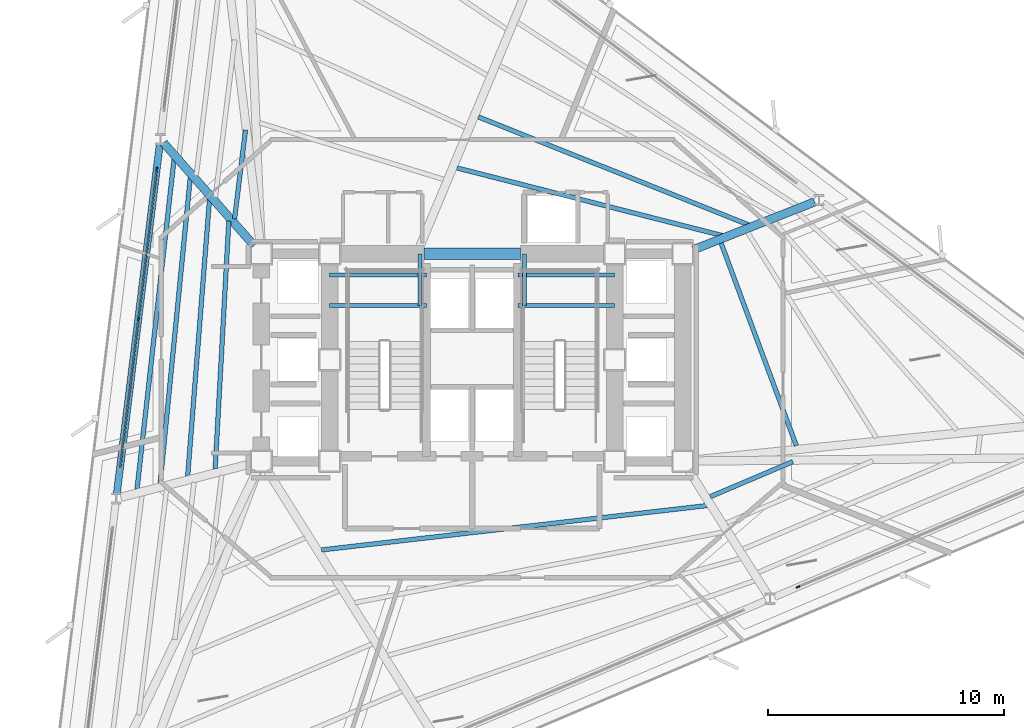
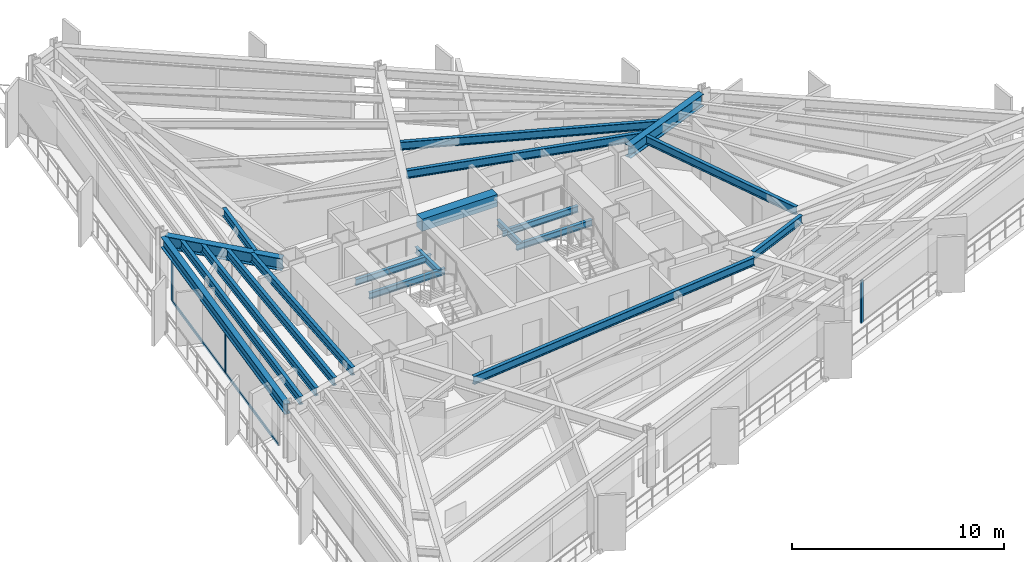
# One storey, part 3 of 13: 20 beams, 7 members, 2 elements without a shape of their own.
"""IFC4 building model written with IfcOpenShell, lengths in metres."""

from ifc_helpers import new_model, si_unit, direction, frame, origin, origin_2d, place, context, subcontext, project, spatial, rectangle, i_section, extrude, material, layer, layer_set, material_profile, profile_set, type_object, element, aggregate, save


model = new_model("IFC4")

# Units and contexts
model_context = context("Model", 3, precision=1e-05, world=origin(), true_north=direction((0.0, 1.0)))
body_context = subcontext(model_context, "Body", "Model", "MODEL_VIEW")
ifc_project = project(units=[si_unit("LENGTHUNIT", "METRE"), si_unit("AREAUNIT", "SQUARE_METRE"), si_unit("VOLUMEUNIT", "CUBIC_METRE"), si_unit("PLANEANGLEUNIT", "RADIAN"), si_unit("MASSUNIT", "GRAM", prefix="KILO")], contexts=[model_context])

# Site, building, storey
site_placement = place(None, origin())
site = spatial("IfcSite", under=ifc_project, at=site_placement, CompositionType="ELEMENT")
building_placement = place(site_placement, origin())
building = spatial("IfcBuilding", under=site, at=building_placement, Name="Rocaltana Carrier Exchange", CompositionType="ELEMENT")
storey_placement = place(building_placement, frame((0.0, 0.0, 56.320068359375)))
storey = spatial("IfcBuildingStorey", under=building, at=storey_placement, Name="L17", CompositionType="ELEMENT", Elevation=56.320068359375)

# Curtain wall, members
ifc_material_1 = material(Name="Aluminium 6063-T6", Category="aluminium")
ifc_layer = layer(ifc_material_1, 0.1650390625)
ifc_layer_set = layer_set([ifc_layer], Name="Aluminium 6063-T6")
curtain_wall_type = type_object("IfcCurtainWallType", Name="Lower-Mid Stepped Curtain Wall CW-02", PredefinedType="NOTDEFINED", material=ifc_layer_set)
curtain_wall_1_placement = place(storey_placement, origin())
curtain_wall_1 = element("IfcCurtainWall", 1, at=curtain_wall_1_placement, inside=storey, type_object=curtain_wall_type, Name="L17 CW-02 Run CW-L17-F2S2", PredefinedType="NOTDEFINED")
ifc_material_2 = material(Name="Aluminium 6063-T6", Category="aluminium")
ifc_material_profile_1 = material_profile(ifc_material_2, rectangle(XDim=0.06494140625, YDim=0.1650390625, at=origin_2d()), Name="AL-65X165")
ifc_profile_set_1 = profile_set([ifc_material_profile_1], Name="Aluminium 6063-T6")
member_type_1 = type_object("IfcMemberType", Name="CW-02 Mullion AL-65X165", PredefinedType="MULLION", material=ifc_profile_set_1)
member_1_placement = place(storey_placement, frame((-13.39404296875, 8.093505859375, 0.0), z_axis=(0.0, 0.0, 1.0), x_axis=(0.992545632614, -0.121873570472, 0.0)))
member_1 = element("IfcMember", 2, at=member_1_placement, type_object=member_type_1, Name="CW-02 mullion 1", PredefinedType="MULLION", context=body_context, shape_type="SweptSolid", body=[
    extrude(rectangle(XDim=0.06494140625, YDim=0.1650390625, at=origin_2d()), origin(), (0.0, 0.0, 1.0), 2.47802734375),
])
member_2_placement = place(storey_placement, frame((-14.17431640625, 1.740234375, 0.0), z_axis=(0.0, 0.0, 1.0), x_axis=(0.992545632614, -0.121873570472, 0.0)))
member_2 = element("IfcMember", 3, at=member_2_placement, type_object=member_type_1, Name="CW-02 mullion 2", PredefinedType="MULLION", context=body_context, shape_type="SweptSolid", body=[
    extrude(rectangle(XDim=0.06494140625, YDim=0.1650390625, at=origin_2d()), origin(), (0.0, 0.0, 1.0), 2.47802734375),
])

# Curtain wall, member
curtain_wall_2_placement = place(storey_placement, origin())
curtain_wall_2 = element("IfcCurtainWall", 4, at=curtain_wall_2_placement, inside=storey, type_object=curtain_wall_type, Name="L17 CW-02 Run CW-L17-F3S3", PredefinedType="NOTDEFINED")
member_3_placement = place(storey_placement, frame((13.8330078125, -9.642333984375, 0.0), z_axis=(0.0, 0.0, 1.0), x_axis=(-0.390735259141, 0.920503100084, 0.0)))
member_3 = element("IfcMember", 5, at=member_3_placement, type_object=member_type_1, Name="CW-02 mullion 1", PredefinedType="MULLION", context=body_context, shape_type="SweptSolid", body=[
    extrude(rectangle(XDim=0.06494140625, YDim=0.1650390625, at=origin_2d()), origin(), (0.0, 0.0, 1.0), 2.47802734375),
])
aggregate(curtain_wall_2, [member_3])

# Member
ifc_material_3 = material(Name="Aluminium 6063-T6", Category="aluminium")
ifc_material_profile_2 = material_profile(ifc_material_3, rectangle(XDim=0.06494140625, YDim=0.1650390625, at=origin_2d()), Name="AL-65X165")
ifc_profile_set_2 = profile_set([ifc_material_profile_2], Name="Aluminium 6063-T6")
member_type_2 = type_object("IfcMemberType", Name="CW-02 Transom AL-65X165", PredefinedType="USERDEFINED", material=ifc_profile_set_2)
member_4_placement = place(storey_placement, frame((-13.398193359375, 8.061279296875, 0.032470703125), z_axis=(-0.121881311797, -0.992544682034, 0.0), x_axis=(0.992544682034, -0.121881311797, 0.0)))
member_4 = element("IfcMember", 6, at=member_4_placement, type_object=member_type_2, Name="CW-02 transom 1.1", ObjectType="TRANSOM", PredefinedType="USERDEFINED", context=body_context, shape_type="SweptSolid", body=[
    extrude(rectangle(XDim=0.06494140625, YDim=0.1650390625, at=origin_2d()), origin(), (0.0, 0.0, 1.0), 6.335693359375),
])

member_5_placement = place(storey_placement, frame((-13.398193359375, 8.061279296875, 2.4453125), z_axis=(-0.121881311797, -0.992544682034, 0.0), x_axis=(0.992544682034, -0.121881311797, 0.0)))
member_5 = element("IfcMember", 7, at=member_5_placement, type_object=member_type_2, Name="CW-02 transom 1.2", ObjectType="TRANSOM", PredefinedType="USERDEFINED", context=body_context, shape_type="SweptSolid", body=[
    extrude(rectangle(XDim=0.06494140625, YDim=0.1650390625, at=origin_2d()), origin(), (0.0, 0.0, 1.0), 6.335693359375),
])

member_6_placement = place(storey_placement, frame((-14.17822265625, 1.7080078125, 0.032470703125), z_axis=(-0.121881311797, -0.992544682034, 0.0), x_axis=(0.992544682034, -0.121881311797, 0.0)))
member_6 = element("IfcMember", 8, at=member_6_placement, type_object=member_type_2, Name="CW-02 transom 2.1", ObjectType="TRANSOM", PredefinedType="USERDEFINED", context=body_context, shape_type="SweptSolid", body=[
    extrude(rectangle(XDim=0.06494140625, YDim=0.1650390625, at=origin_2d()), origin(), (0.0, 0.0, 1.0), 6.335693359375),
])

member_7_placement = place(storey_placement, frame((-14.17822265625, 1.7080078125, 2.4453125), z_axis=(-0.121881311797, -0.992544682034, 0.0), x_axis=(0.992544682034, -0.121881311797, 0.0)))
member_7 = element("IfcMember", 9, at=member_7_placement, type_object=member_type_2, Name="CW-02 transom 2.2", ObjectType="TRANSOM", PredefinedType="USERDEFINED", context=body_context, shape_type="SweptSolid", body=[
    extrude(rectangle(XDim=0.06494140625, YDim=0.1650390625, at=origin_2d()), origin(), (0.0, 0.0, 1.0), 6.335693359375),
])

aggregate(curtain_wall_1, [member_1, member_2, member_4, member_5, member_6, member_7])

# Beams
ifc_material_4 = material(Name="Concrete C60/75", Category="concrete")
ifc_material_profile_3 = material_profile(ifc_material_4, rectangle(XDim=0.5, YDim=0.699951171875, at=origin_2d()), Name="RC-BM-500X700")
ifc_profile_set_3 = profile_set([ifc_material_profile_3], Name="Concrete C60/75")
beam_type_1 = type_object("IfcBeamType", Name="Core Coupling Lintel 500x700", PredefinedType="LINTEL", material=ifc_profile_set_3)
beam_1_placement = place(storey_placement, frame((-2.050048828125, 4.5, 2.748046875), z_axis=(1.0, 0.0, 0.0), x_axis=(0.0, 1.0, 0.0)))
element("IfcBeam", 10, at=beam_1_placement, inside=storey, type_object=beam_type_1, Name="L17 Core Coupling Lintel CL-N", PredefinedType="LINTEL", context=body_context, shape_type="SweptSolid", body=[
    extrude(rectangle(XDim=0.5, YDim=0.699951171875, at=origin_2d()), origin(), (0.0, 0.0, 1.0), 4.10009765625),
])
ifc_material_5 = material(Name="Steel S355", Category="steel")
ifc_material_profile_4 = material_profile(ifc_material_5, i_section(OverallWidth=0.172119140625, OverallDepth=0.35791015625, WebThickness=0.0078125, FlangeThickness=0.01318359375, FilletRadius=0.011962890625, at=origin_2d()), Name="W14X38")
ifc_profile_set_4 = profile_set([ifc_material_profile_4], Name="Steel S355")
beam_type_2 = type_object("IfcBeamType", Name="Floor Joist W14X38", PredefinedType="JOIST", material=ifc_profile_set_4)
for number, where, z_axis, x_axis, name in (
    (11, (-6.050048828125, 2.300048828125, 1.301025390625), (1.0, 0.0, 0.0), (0.0, 1.0, 0.0), "L17 ST-1 Landing Carrier 1"),
    (12, (1.93994140625, 2.300048828125, 1.301025390625), (1.0, 0.0, 0.0), (0.0, 1.0, 0.0), "L17 ST-2 Landing Carrier 1"),
    (13, (-6.050048828125, 3.60009765625, 1.301025390625), (1.0, 0.0, 0.0), (0.0, 1.0, 0.0), "L17 ST-1 Landing Carrier 2"),
    (14, (1.93994140625, 3.60009765625, 1.301025390625), (1.0, 0.0, 0.0), (0.0, 1.0, 0.0), "L17 ST-2 Landing Carrier 2"),
):
    element("IfcBeam", number, at=place(storey_placement, frame(where, z_axis=z_axis, x_axis=x_axis)), inside=storey, type_object=beam_type_2, Name=name, PredefinedType="JOIST", context=body_context, shape_type="SweptSolid", body=[
        extrude(i_section(OverallWidth=0.172119140625, OverallDepth=0.35791015625, WebThickness=0.0078125, FlangeThickness=0.01318359375, FilletRadius=0.011962890625, at=origin_2d()), origin(), (0.0, 0.0, 1.0), 4.110107421875),
    ])
for number, where, z_axis, x_axis, name in (
    (15, (-2.219970703125, 2.300048828125, 1.301025390625), (0.0, 1.0, 0.0), (-1.0, 0.0, 0.0), "L17 ST-1 Landing Cross Trimmer"),
    (16, (2.219970703125, 2.300048828125, 1.301025390625), (0.0, 1.0, 0.0), (-1.0, 0.0, 0.0), "L17 ST-2 Landing Cross Trimmer"),
):
    element("IfcBeam", number, at=place(storey_placement, frame(where, z_axis=z_axis, x_axis=x_axis)), inside=storey, type_object=beam_type_2, Name=name, PredefinedType="JOIST", context=body_context, shape_type="SweptSolid", body=[
        extrude(i_section(OverallWidth=0.172119140625, OverallDepth=0.35791015625, WebThickness=0.0078125, FlangeThickness=0.01318359375, FilletRadius=0.011962890625, at=origin_2d()), origin(), (0.0, 0.0, 1.0), 2.199951171875),
    ])
ifc_material_6 = material(Name="Steel S355", Category="steel")
ifc_material_profile_5 = material_profile(ifc_material_6, i_section(OverallWidth=0.193115234375, OverallDepth=0.466064453125, WebThickness=0.011474609375, FlangeThickness=0.01904296875, FilletRadius=0.013916015625, at=origin_2d()), Name="W18X65")
ifc_profile_set_5 = profile_set([ifc_material_profile_5], Name="Steel S355")
beam_type_3 = type_object("IfcBeamType", Name="Floor Joist W18X65", PredefinedType="JOIST", material=ifc_profile_set_5)
beam_2_placement = place(storey_placement, frame((13.7646484375, -3.644287109375, 2.864990234375), z_axis=(-0.348190538878, 0.937423782841, 0.0), x_axis=(-0.937423782841, -0.348190538878, 0.0)))
element("IfcBeam", 17, at=beam_2_placement, inside=storey, type_object=beam_type_3, Name="FJ-L17-01-1", PredefinedType="JOIST", context=body_context, shape_type="SweptSolid", body=[
    extrude(i_section(OverallWidth=0.193115234375, OverallDepth=0.466064453125, WebThickness=0.011474609375, FlangeThickness=0.01904296875, FilletRadius=0.013916015625, at=origin_2d()), origin(), (0.0, 0.0, 1.0), 9.17333984375),
])
beam_3_placement = place(storey_placement, frame((10.633544921875, 5.272216796875, 2.864990234375), z_axis=(-0.969019358716, 0.246984781785, 0.0), x_axis=(-0.246984781785, -0.969019358716, 0.0)))
element("IfcBeam", 18, at=beam_3_placement, inside=storey, type_object=beam_type_3, Name="FJ-L17-02-1", PredefinedType="JOIST", context=body_context, shape_type="SweptSolid", body=[
    extrude(i_section(OverallWidth=0.193115234375, OverallDepth=0.466064453125, WebThickness=0.011474609375, FlangeThickness=0.01904296875, FilletRadius=0.013916015625, at=origin_2d()), origin(), (0.0, 0.0, 1.0), 11.639404296875),
])
beam_4_placement = place(storey_placement, frame((11.73876953125, 5.72705078125, 2.864990234375), z_axis=(-0.928527082135, 0.371264673436, 0.0), x_axis=(-0.371264673436, -0.928527082135, 0.0)))
element("IfcBeam", 19, at=beam_4_placement, inside=storey, type_object=beam_type_3, Name="FJ-L17-02-2", PredefinedType="JOIST", context=body_context, shape_type="SweptSolid", body=[
    extrude(i_section(OverallWidth=0.193115234375, OverallDepth=0.466064453125, WebThickness=0.011474609375, FlangeThickness=0.01904296875, FilletRadius=0.013916015625, at=origin_2d()), origin(), (0.0, 0.0, 1.0), 12.36083984375),
])
beam_5_placement = place(storey_placement, frame((-9.623046875, 9.76171875, 2.864990234375), z_axis=(-0.121879106214, -0.99254495287, 0.0), x_axis=(0.99254495287, -0.121879106214, 0.0)))
element("IfcBeam", 20, at=beam_5_placement, inside=storey, type_object=beam_type_3, Name="FJ-L17-05-1", PredefinedType="JOIST", context=body_context, shape_type="SweptSolid", body=[
    extrude(i_section(OverallWidth=0.193115234375, OverallDepth=0.466064453125, WebThickness=0.011474609375, FlangeThickness=0.01904296875, FilletRadius=0.013916015625, at=origin_2d()), origin(), (0.0, 0.0, 1.0), 3.805908203125),
])
beam_6_placement = place(storey_placement, frame((-10.33154296875, 5.885986328125, 2.864990234375), z_axis=(-0.055068403042, -0.998482584218, 0.0), x_axis=(0.998482584218, -0.055068403042, 0.0)))
element("IfcBeam", 21, at=beam_6_placement, inside=storey, type_object=beam_type_3, Name="FJ-L17-06-1", PredefinedType="JOIST", context=body_context, shape_type="SweptSolid", body=[
    extrude(i_section(OverallWidth=0.193115234375, OverallDepth=0.466064453125, WebThickness=0.011474609375, FlangeThickness=0.01904296875, FilletRadius=0.013916015625, at=origin_2d()), origin(), (0.0, 0.0, 1.0), 10.5380859375),
])
beam_7_placement = place(storey_placement, frame((-11.150390625, 6.810791015625, 2.864990234375), z_axis=(-0.078741493591, -0.996895068293, 0.0), x_axis=(0.996895068293, -0.078741493591, 0.0)))
element("IfcBeam", 22, at=beam_7_placement, inside=storey, type_object=beam_type_3, Name="FJ-L17-06-2", PredefinedType="JOIST", context=body_context, shape_type="SweptSolid", body=[
    extrude(i_section(OverallWidth=0.193115234375, OverallDepth=0.466064453125, WebThickness=0.011474609375, FlangeThickness=0.01904296875, FilletRadius=0.013916015625, at=origin_2d()), origin(), (0.0, 0.0, 1.0), 11.78515625),
])
beam_8_placement = place(storey_placement, frame((-11.96826171875, 7.73583984375, 2.864990234375), z_axis=(-0.097972183255, -0.995189153532, 0.0), x_axis=(0.995189153532, -0.097972183255, 0.0)))
element("IfcBeam", 23, at=beam_8_placement, inside=storey, type_object=beam_type_3, Name="FJ-L17-06-3", PredefinedType="JOIST", context=body_context, shape_type="SweptSolid", body=[
    extrude(i_section(OverallWidth=0.193115234375, OverallDepth=0.466064453125, WebThickness=0.011474609375, FlangeThickness=0.01904296875, FilletRadius=0.013916015625, at=origin_2d()), origin(), (0.0, 0.0, 1.0), 13.037841796875),
])
beam_9_placement = place(storey_placement, frame((-12.65673828125, 8.5146484375, 2.864990234375), z_axis=(-0.111539715424, -0.993759976998, 0.0), x_axis=(0.993759976998, -0.111539715424, 0.0)))
element("IfcBeam", 24, at=beam_9_placement, inside=storey, type_object=beam_type_3, Name="FJ-L17-06-4", PredefinedType="JOIST", context=body_context, shape_type="SweptSolid", body=[
    extrude(i_section(OverallWidth=0.193115234375, OverallDepth=0.466064453125, WebThickness=0.011474609375, FlangeThickness=0.01904296875, FilletRadius=0.013916015625, at=origin_2d()), origin(), (0.0, 0.0, 1.0), 14.095947265625),
])
beam_10_placement = place(storey_placement, frame((-6.393310546875, -8.071533203125, 2.864990234375), z_axis=(0.993445833528, 0.114303875027, 0.0), x_axis=(-0.114303875027, 0.993445833528, 0.0)))
element("IfcBeam", 25, at=beam_10_placement, inside=storey, type_object=beam_type_3, Name="FJ-L17-10-1", PredefinedType="JOIST", context=body_context, shape_type="SweptSolid", body=[
    extrude(i_section(OverallWidth=0.193115234375, OverallDepth=0.466064453125, WebThickness=0.011474609375, FlangeThickness=0.01904296875, FilletRadius=0.013916015625, at=origin_2d()), origin(), (0.0, 0.0, 1.0), 16.465576171875),
])
beam_11_placement = place(storey_placement, frame((10.107421875, -5.810791015625, 2.864990234375), z_axis=(0.920496503987, 0.390750798013, 0.0), x_axis=(-0.390750798013, 0.920496503987, 0.0)))
element("IfcBeam", 26, at=beam_11_placement, inside=storey, type_object=beam_type_3, Name="FJ-L17-11-1", PredefinedType="JOIST", context=body_context, shape_type="SweptSolid", body=[
    extrude(i_section(OverallWidth=0.193115234375, OverallDepth=0.466064453125, WebThickness=0.011474609375, FlangeThickness=0.01904296875, FilletRadius=0.013916015625, at=origin_2d()), origin(), (0.0, 0.0, 1.0), 3.80615234375),
])
ifc_material_7 = material(Name="Steel S355", Category="steel")
ifc_material_profile_6 = material_profile(ifc_material_7, i_section(OverallWidth=0.35498046875, OverallDepth=0.695068359375, WebThickness=0.015380859375, FlangeThickness=0.02490234375, FilletRadius=0.01806640625, at=origin_2d()), Name="W27X146")
ifc_profile_set_6 = profile_set([ifc_material_profile_6], Name="Steel S355")
beam_type_4 = type_object("IfcBeamType", Name="Radial Girder W27X146", PredefinedType="BEAM", material=ifc_profile_set_6)
beam_12_placement = place(storey_placement, frame((9.384521484375, 4.67138671875, 2.75048828125), z_axis=(0.930182926825, 0.36709633973, 0.0), x_axis=(-0.36709633973, 0.930182926825, 0.0)))
element("IfcBeam", 27, at=beam_12_placement, inside=storey, type_object=beam_type_4, Name="RG-L17-02", PredefinedType="BEAM", context=body_context, shape_type="SweptSolid", body=[
    extrude(i_section(OverallWidth=0.35498046875, OverallDepth=0.695068359375, WebThickness=0.015380859375, FlangeThickness=0.02490234375, FilletRadius=0.01806640625, at=origin_2d()), origin(), (0.0, 0.0, 1.0), 5.543212890625),
])
beam_13_placement = place(storey_placement, frame((-9.2587890625, 4.850341796875, 2.75048828125), z_axis=(-0.661089638408, 0.750306930522, 0.0), x_axis=(-0.750306930522, -0.661089638408, 0.0)))
element("IfcBeam", 28, at=beam_13_placement, inside=storey, type_object=beam_type_4, Name="RG-L17-06", PredefinedType="BEAM", context=body_context, shape_type="SweptSolid", body=[
    extrude(i_section(OverallWidth=0.35498046875, OverallDepth=0.695068359375, WebThickness=0.015380859375, FlangeThickness=0.02490234375, FilletRadius=0.01806640625, at=origin_2d()), origin(), (0.0, 0.0, 1.0), 5.81494140625),
])
ifc_material_8 = material(Name="Steel S355", Category="steel")
ifc_material_profile_7 = material_profile(ifc_material_8, i_section(OverallWidth=0.300048828125, OverallDepth=0.60009765625, WebThickness=0.015380859375, FlangeThickness=0.030029296875, FilletRadius=0.027099609375, at=origin_2d()), Name="HEB600")
ifc_profile_set_7 = profile_set([ifc_material_profile_7], Name="Steel S355")
beam_type_5 = type_object("IfcBeamType", Name="Spandrel Edge Beam HEB600", PredefinedType="SPANDREL", material=ifc_profile_set_7)
beam_14_placement = place(storey_placement, frame((-13.2626953125, 9.163818359375, 2.7978515625), z_axis=(-0.121870991454, -0.992545949285, 0.0), x_axis=(0.992545949285, -0.121870991454, 0.0)))
element("IfcBeam", 29, at=beam_14_placement, inside=storey, type_object=beam_type_5, Name="SP-L17-06", PredefinedType="SPANDREL", context=body_context, shape_type="SweptSolid", body=[
    extrude(i_section(OverallWidth=0.300048828125, OverallDepth=0.60009765625, WebThickness=0.015380859375, FlangeThickness=0.030029296875, FilletRadius=0.027099609375, at=origin_2d()), origin(), (0.0, 0.0, 1.0), 14.95849609375),
])

save(model, "model.ifc")
